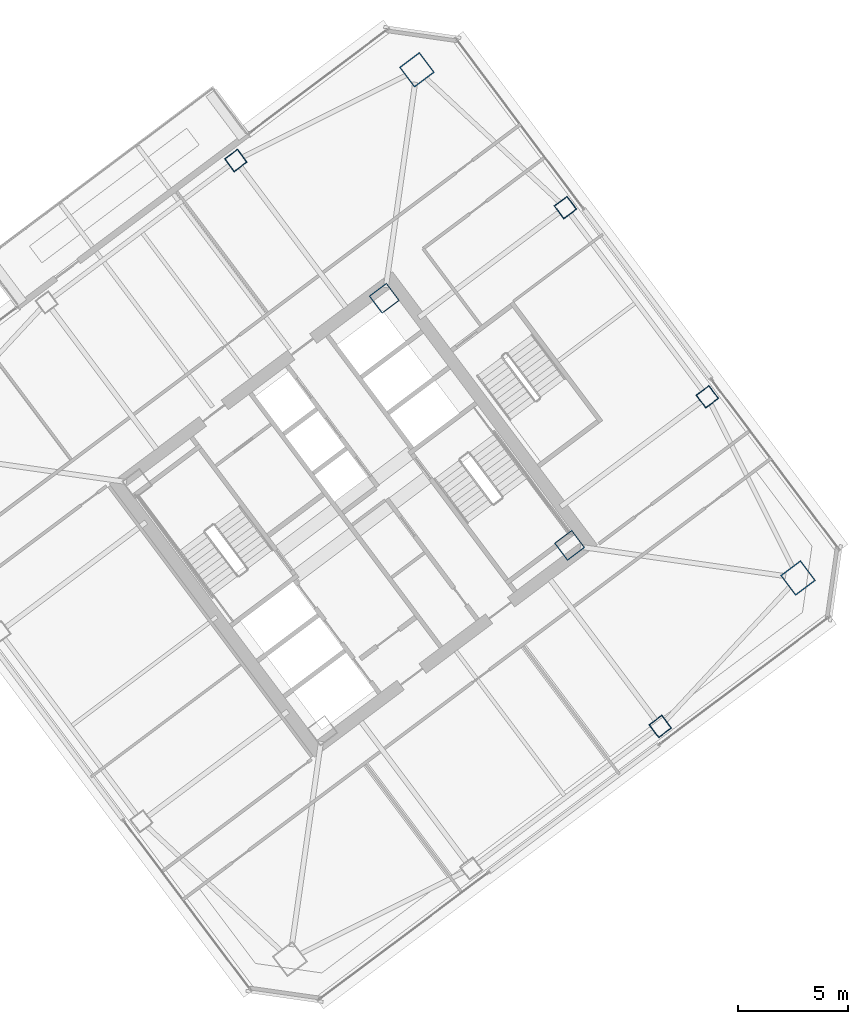
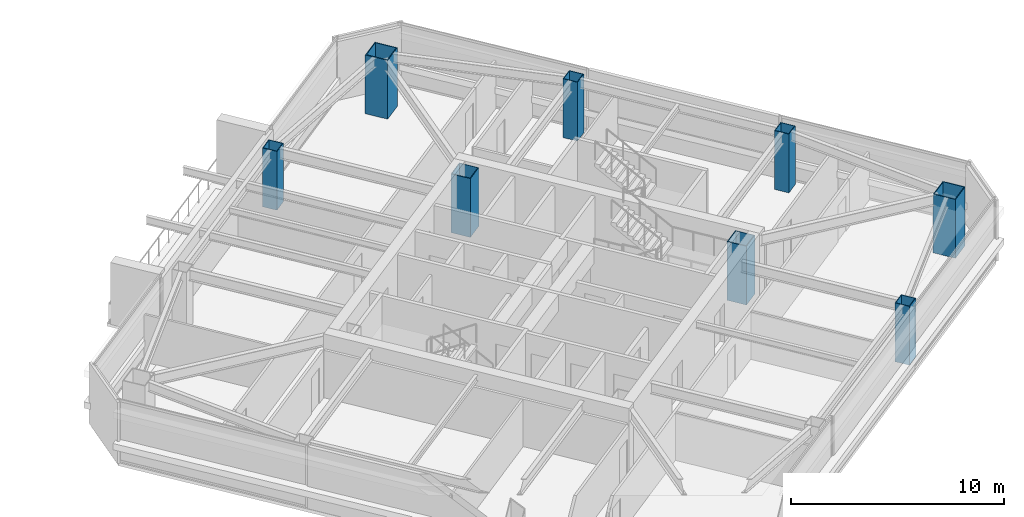
# One storey, part 2 of 41: 8 columns.
"""IFC4 building model written with IfcOpenShell, lengths in metres."""

from ifc_helpers import new_model, si_unit, direction, frame, origin, origin_2d, place, context, subcontext, project, spatial, hollow_rectangle, extrude, material, material_profile, profile_set, type_object, element, save


model = new_model("IFC4")

# Units and contexts
model_context = context("Model", 3, precision=1e-05, world=origin(), true_north=direction((0.0, 1.0)))
body_context = subcontext(model_context, "Body", "Model", "MODEL_VIEW")
ifc_project = project(units=[si_unit("LENGTHUNIT", "METRE"), si_unit("AREAUNIT", "SQUARE_METRE"), si_unit("VOLUMEUNIT", "CUBIC_METRE"), si_unit("PLANEANGLEUNIT", "RADIAN"), si_unit("MASSUNIT", "GRAM", prefix="KILO")], contexts=[model_context])

# Site, building, storey
site_placement = place(None, origin())
site = spatial("IfcSite", under=ifc_project, at=site_placement, CompositionType="ELEMENT")
building_placement = place(site_placement, origin())
building = spatial("IfcBuilding", under=site, at=building_placement, Name="Tashvorn Skyway Center", CompositionType="ELEMENT")
storey_placement = place(building_placement, frame((0.0, 0.0, 192.5)))
storey = spatial("IfcBuildingStorey", under=building, at=storey_placement, Name="L52", CompositionType="ELEMENT", Elevation=192.5)

# Columns
ifc_material = material(Name="Steel ASTM A572 Grade 50", Category="steel")
ifc_material_profile_1 = material_profile(ifc_material, hollow_rectangle(XDim=1.0, YDim=1.0, WallThickness=0.0400390625, at=origin_2d()), Name="BOX1000x1000x40")
ifc_profile_set_1 = profile_set([ifc_material_profile_1], Name="Steel ASTM A572 Grade 50")
column_type_1 = type_object("IfcColumnType", Name="COL-BOX1000x1000x40", PredefinedType="COLUMN", material=ifc_profile_set_1)
for number, where, z_axis, x_axis, name in (
    (1, (123.8701171875, 30.590087890625, 0.0), (0.0, 0.0, 1.0), (0.799999996291, 0.600000004945, 0.0), "Tower 2 L52 Core Corner Column CC-SE"),
    (2, (115.409912109375, 41.8701171875, 0.0), (0.0, 0.0, 1.0), (0.799999996291, 0.600000004945, 0.0), "Tower 2 L52 Core Corner Column CC-NE"),
):
    element("IfcColumn", number, at=place(storey_placement, frame(where, z_axis=z_axis, x_axis=x_axis)), inside=storey, type_object=column_type_1, Name=name, PredefinedType="COLUMN", context=body_context, shape_type="SweptSolid", body=[
        extrude(hollow_rectangle(XDim=1.0, YDim=1.0, WallThickness=0.0400390625, at=origin_2d()), origin(), (0.0, 0.0, 1.0), 3.3701171875),
    ])
ifc_material_profile_2 = material_profile(ifc_material, hollow_rectangle(XDim=1.14990234375, YDim=1.14990234375, WallThickness=0.044921875, at=origin_2d()), Name="BOX1150x1150x45")
ifc_profile_set_2 = profile_set([ifc_material_profile_2], Name="Steel ASTM A572 Grade 50")
column_type_2 = type_object("IfcColumnType", Name="COL-BOX1150x1150x45", PredefinedType="COLUMN", material=ifc_profile_set_2)
for number, where, z_axis, x_axis, name in (
    (3, (134.300048828125, 29.10009765625, 0.0), (0.0, 0.0, 1.0), (0.799999996291, 0.600000004945, 0.0), "Tower 2 L52 Mega-Column MC-SE"),
    (4, (116.89990234375, 52.300048828125, 0.0), (0.0, 0.0, 1.0), (0.799999996291, 0.600000004945, 0.0), "Tower 2 L52 Mega-Column MC-NE"),
):
    element("IfcColumn", number, at=place(storey_placement, frame(where, z_axis=z_axis, x_axis=x_axis)), inside=storey, type_object=column_type_2, Name=name, PredefinedType="COLUMN", context=body_context, shape_type="SweptSolid", body=[
        extrude(hollow_rectangle(XDim=1.14990234375, YDim=1.14990234375, WallThickness=0.044921875, at=origin_2d()), origin(), (0.0, 0.0, 1.0), 3.3701171875),
    ])
ifc_material_profile_3 = material_profile(ifc_material, hollow_rectangle(XDim=0.75, YDim=0.75, WallThickness=0.031982421875, at=origin_2d()), Name="BOX750x750x32")
ifc_profile_set_3 = profile_set([ifc_material_profile_3], Name="Steel ASTM A572 Grade 50")
column_type_3 = type_object("IfcColumnType", Name="COL-BOX750x750x32", PredefinedType="COLUMN", material=ifc_profile_set_3)
for number, where, z_axis, x_axis, name in (
    (5, (128.010009765625, 22.320068359375, 0.0), (0.0, 0.0, 1.0), (0.799999996291, 0.600000004945, 0.0), "Tower 2 L52 Perimeter Column FC-S2"),
    (6, (130.159912109375, 37.3701171875, 0.0), (0.0, 0.0, 1.0), (0.799999996291, 0.600000004945, 0.0), "Tower 2 L52 Perimeter Column FC-E1"),
    (7, (123.679931640625, 46.010009765625, 0.0), (0.0, 0.0, 1.0), (0.799999996291, 0.600000004945, 0.0), "Tower 2 L52 Perimeter Column FC-E2"),
    (8, (108.6298828125, 48.159912109375, 0.0), (0.0, 0.0, 1.0), (0.799999996291, 0.600000004945, 0.0), "Tower 2 L52 Perimeter Column FC-N1"),
):
    element("IfcColumn", number, at=place(storey_placement, frame(where, z_axis=z_axis, x_axis=x_axis)), inside=storey, type_object=column_type_3, Name=name, PredefinedType="COLUMN", context=body_context, shape_type="SweptSolid", body=[
        extrude(hollow_rectangle(XDim=0.75, YDim=0.75, WallThickness=0.031982421875, at=origin_2d()), origin(), (0.0, 0.0, 1.0), 3.3701171875),
    ])

save(model, "model.ifc")
